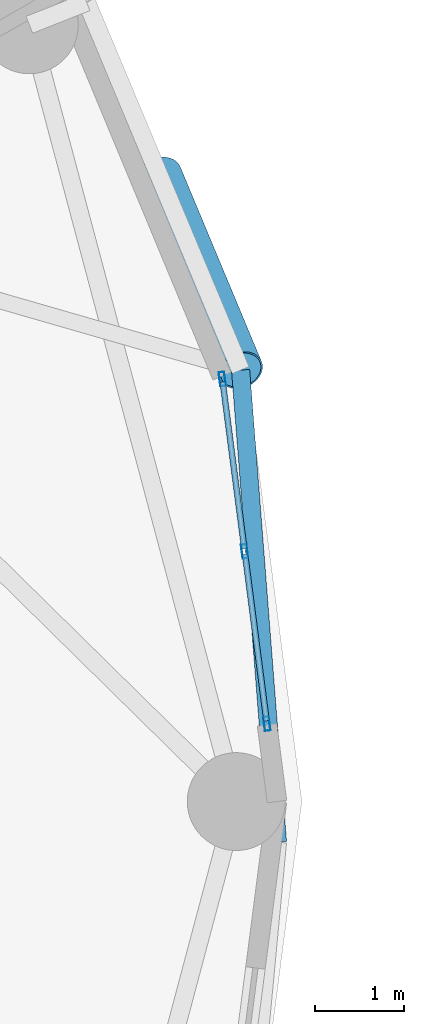
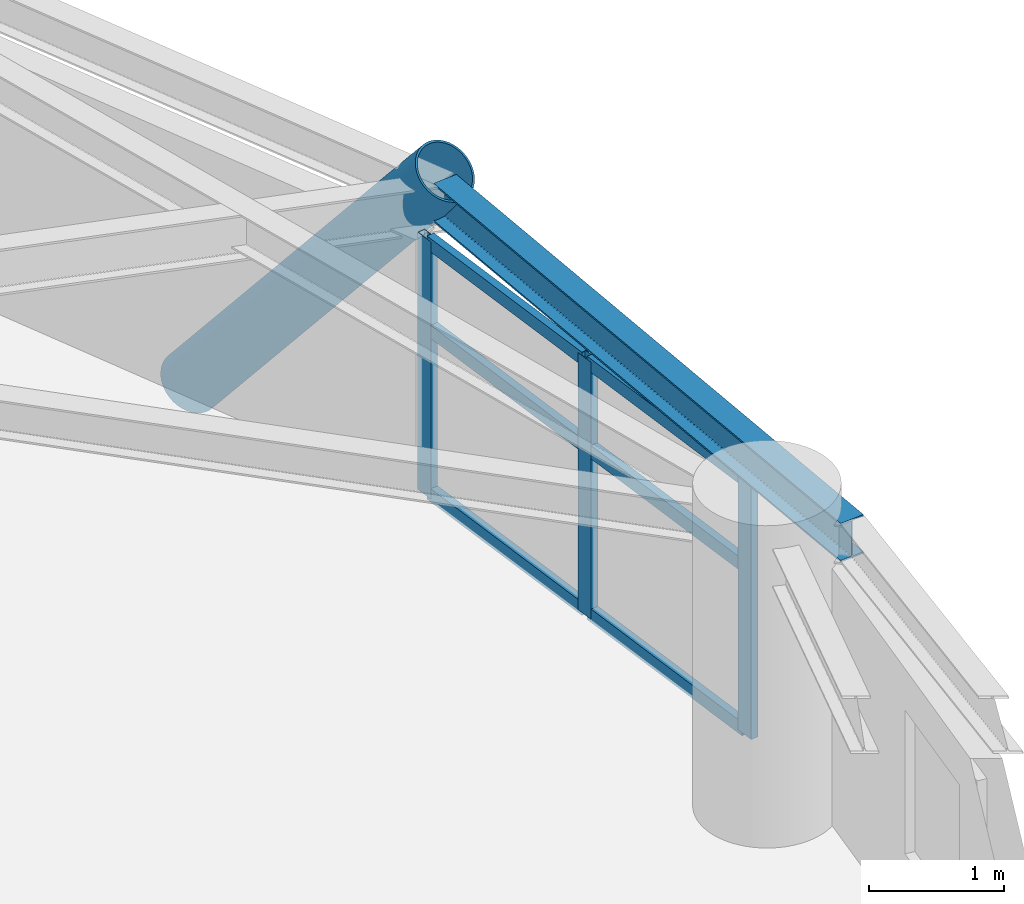
# One storey, part 3 of 16: 10 members, 1 beam, 1 element without a shape of its own.
"""IFC4 building model written with IfcOpenShell, lengths in metres."""

import ifcopenshell
import ifcopenshell.guid

model = None  # the IFC model being written
_history = None  # IfcOwnerHistory: only IFC2X3 demands one
_inside = {}  # id of a spatial element -> (the spatial element, [elements in it])
_under = {}  # id of a project, library or spatial element -> (it, [spatial elements below it])
_declared = {}  # id of a project -> (the project, [libraries it declares])
_typed = {}  # id of a type object -> (the type object, [elements of that type])
_made_of = {}  # id of a material, layer set ... -> (it, [elements and type objects made of it])


def new_model(schema):
    """Start an empty IFC model of exactly this schema.

    Asked for "IFC4X3", IfcOpenShell would pick the latest addendum, in which some entities
    have other attributes; the version numbers below select the first issue.
    IFC2X3 requires an IfcOwnerHistory on every rooted entity: one is made here for all.
    """
    global model, _history
    if schema == "IFC4X3":
        model = ifcopenshell.file(schema_version=(4, 3, 0, 0))
    else:
        model = ifcopenshell.file(schema=schema)
    _inside.clear()
    _under.clear()
    _declared.clear()
    _typed.clear()
    _made_of.clear()
    _history = None
    if model.schema == "IFC2X3":
        org = make("IfcOrganization", Name="unknown")
        user = make(
            "IfcPersonAndOrganization",
            ThePerson=make("IfcPerson", FamilyName="unknown"),
            TheOrganization=org,
        )
        app = make(
            "IfcApplication",
            ApplicationDeveloper=org,
            Version="unknown",
            ApplicationFullName="unknown",
            ApplicationIdentifier="unknown",
        )
        _history = make(
            "IfcOwnerHistory",
            OwningUser=user,
            OwningApplication=app,
            ChangeAction="ADDED",
            CreationDate=0,
        )
    return model


def make(cls, **values):
    """One entity of the class cls with the attributes given. An attribute that is None is left unset."""
    return model.create_entity(
        cls, **{name: value for name, value in values.items() if value is not None}
    )


def rooted(cls, **values):
    """An entity with a GlobalId (a new one), such as an element, a storey or a relation."""
    return make(cls, GlobalId=ifcopenshell.guid.new(), OwnerHistory=_history, **values)


def si_unit(unit_type, name, prefix=None):
    """IfcSIUnit, for example si_unit("LENGTHUNIT", "METRE", prefix="MILLI")."""
    return make("IfcSIUnit", UnitType=unit_type, Prefix=prefix, Name=name)


def assignment(units):
    """IfcUnitAssignment: the units of a project."""
    return None if units is None else make("IfcUnitAssignment", Units=units)


def point(xyz):
    """IfcCartesianPoint."""
    return None if xyz is None else make("IfcCartesianPoint", Coordinates=xyz)


def direction(xyz):
    """IfcDirection."""
    return None if xyz is None else make("IfcDirection", DirectionRatios=xyz)


def frame(location, z_axis=None, x_axis=None):
    """IfcAxis2Placement3D, a coordinate frame: its origin and axes. An axis left out is left unset."""
    return make(
        "IfcAxis2Placement3D",
        Location=point(location),
        Axis=direction(z_axis),
        RefDirection=direction(x_axis),
    )


def frame_2d(location, x_axis=None):
    """IfcAxis2Placement2D, a coordinate frame in the plane: its origin and x axis."""
    return make(
        "IfcAxis2Placement2D", Location=point(location), RefDirection=direction(x_axis)
    )


def origin():
    """The frame at (0, 0, 0) with its axes left unset."""
    return frame((0.0, 0.0, 0.0))


def origin_2d():
    """The frame at (0, 0) in the plane with its x axis left unset."""
    return frame_2d((0.0, 0.0))


def place(relative_to, where):
    """IfcLocalPlacement: puts the frame where relative to a parent placement (None: the world)."""
    return make(
        "IfcLocalPlacement", PlacementRelTo=relative_to, RelativePlacement=where
    )


def context(
    kind, dimensions, precision=None, world=None, true_north=None, identifier=None
):
    """IfcGeometricRepresentationContext, for example the 3D "Model" context."""
    return make(
        "IfcGeometricRepresentationContext",
        ContextIdentifier=identifier,
        ContextType=kind,
        CoordinateSpaceDimension=dimensions,
        Precision=precision,
        WorldCoordinateSystem=world,
        TrueNorth=true_north,
    )


def subcontext(parent, identifier, kind, view, scale=None):
    """IfcGeometricRepresentationSubContext, for example "Body" below "Model"."""
    return make(
        "IfcGeometricRepresentationSubContext",
        ContextIdentifier=identifier,
        ContextType=kind,
        ParentContext=parent,
        TargetScale=scale,
        TargetView=view,
    )


def project(units=None, contexts=None):
    """IfcProject with its units and contexts."""
    return rooted(
        "IfcProject",
        Name="project",
        RepresentationContexts=contexts,
        UnitsInContext=assignment(units),
    )


def spatial(cls, under=None, at=None, **own):
    """A site, building, storey or space (cls), placed at a placement, below another one or the project."""
    s = rooted(cls, ObjectPlacement=at, **own)
    if under is not None:
        _under.setdefault(under.id(), (under, []))[1].append(s)
    return s


def profile(cls, at=None, kind="AREA", **sizes):
    """A parametric profile (cls). Its sizes go by their IFC names, for example OverallWidth=200.0."""
    return make(cls, ProfileType=kind, Position=at, **sizes)


def hollow_rectangle(**sizes):
    """IfcRectangleHollowProfileDef."""
    return profile("IfcRectangleHollowProfileDef", **sizes)


def hollow_circle(**sizes):
    """IfcCircleHollowProfileDef."""
    return profile("IfcCircleHollowProfileDef", **sizes)


def i_section(**sizes):
    """IfcIShapeProfileDef."""
    return profile("IfcIShapeProfileDef", **sizes)


def extrude(swept, where, along, depth):
    """IfcExtrudedAreaSolid: the profile swept, set in the frame where, extruded along a direction by depth."""
    return make(
        "IfcExtrudedAreaSolid",
        SweptArea=swept,
        Position=where,
        ExtrudedDirection=direction(along),
        Depth=depth,
    )


def shape(context_of_items, identifier, shape_type, items):
    """IfcShapeRepresentation: the items that make up one representation, for example the "Body"."""
    return make(
        "IfcShapeRepresentation",
        ContextOfItems=context_of_items,
        RepresentationIdentifier=identifier,
        RepresentationType=shape_type,
        Items=items,
    )


def material(Name=None, Category=None):
    """IfcMaterial."""
    return make("IfcMaterial", Name=Name, Category=Category)


def layer(
    of_material, thickness, ventilated=None, Name=None, Category=None, Priority=None
):
    """IfcMaterialLayer: one layer of a wall or slab, of a material (None: an air gap)."""
    return make(
        "IfcMaterialLayer",
        Material=of_material,
        LayerThickness=thickness,
        IsVentilated=ventilated,
        Name=Name,
        Category=Category,
        Priority=Priority,
    )


def layer_set(layers, Name=None):
    """IfcMaterialLayerSet."""
    return make("IfcMaterialLayerSet", MaterialLayers=layers, LayerSetName=Name)


def material_profile(
    of_material, cross_section, Name=None, Category=None, Priority=None
):
    """IfcMaterialProfile: a cross section and its material."""
    return make(
        "IfcMaterialProfile",
        Name=Name,
        Material=of_material,
        Profile=cross_section,
        Priority=Priority,
        Category=Category,
    )


def profile_set(profiles, Name=None, composite=None):
    """IfcMaterialProfileSet."""
    return make(
        "IfcMaterialProfileSet",
        Name=Name,
        MaterialProfiles=profiles,
        CompositeProfile=composite,
    )


def made_of(thing, what):
    """Note that an element or type object is made of a material, layer set ...; save() writes the relation."""
    if what is not None:
        _made_of.setdefault(what.id(), (what, []))[1].append(thing)
    return thing


def type_object(cls, material=None, **own):
    """A type object (cls), such as IfcWallType, which elements share."""
    return made_of(rooted(cls, **own), material)


def element(
    cls,
    number,
    at=None,
    inside=None,
    cuts=None,
    type_object=None,
    material=None,
    context=None,
    identifier="Body",
    shape_type=None,
    held_by="IfcProductDefinitionShape",
    body=None,
    shapes=None,
    **own,
):
    """One element of the class cls, such as IfcWall. Its Tag is "e" and its number.

    at: its placement. inside: the storey or other place that contains it. cuts: it is an
    opening in that element (IfcRelVoidsElement). A single representation is given by context,
    identifier, shape_type and body (its items); several are given by shapes. held_by: the class
    of the entity that holds the representations. save() writes the other relations.
    """
    e = rooted(cls, Tag="e%d" % number, ObjectPlacement=at, **own)
    if body is not None:
        shapes = [shape(context, identifier, shape_type, body)]
    if shapes is not None:
        e.Representation = make(held_by, Representations=shapes)
    if inside is not None:
        _inside.setdefault(inside.id(), (inside, []))[1].append(e)
    if cuts is not None:
        rooted(
            "IfcRelVoidsElement", RelatingBuildingElement=cuts, RelatedOpeningElement=e
        )
    if type_object is not None:
        _typed.setdefault(type_object.id(), (type_object, []))[1].append(e)
    return made_of(e, material)


def aggregate(whole, parts):
    """IfcRelAggregates: a whole, such as a stair, and the parts it consists of."""
    return rooted("IfcRelAggregates", RelatingObject=whole, RelatedObjects=parts)


def save(model, path):
    """Write the relations noted so far, then the file.

    IfcRelAggregates (storeys below a building ...), IfcRelContainedInSpatialStructure (elements
    in a storey), IfcRelDefinesByType, IfcRelAssociatesMaterial and IfcRelDeclares: one each for
    every whole, place, type object, material and project.
    """
    for whole, parts in _under.values():
        aggregate(whole, parts)
    for where, things in _inside.values():
        rooted(
            "IfcRelContainedInSpatialStructure",
            RelatedElements=things,
            RelatingStructure=where,
        )
    for kind, things in _typed.values():
        rooted("IfcRelDefinesByType", RelatedObjects=things, RelatingType=kind)
    for what, things in _made_of.values():
        rooted("IfcRelAssociatesMaterial", RelatedObjects=things, RelatingMaterial=what)
    for by, libraries in _declared.values():
        rooted("IfcRelDeclares", RelatingContext=by, RelatedDefinitions=libraries)
    model.write(path)


model = new_model("IFC4")

# Units and contexts
model_context = context("Model", 3, precision=1e-05, world=origin(), true_north=direction((0.0, 1.0)))
body_context = subcontext(model_context, "Body", "Model", "MODEL_VIEW")
ifc_project = project(units=[si_unit("LENGTHUNIT", "METRE"), si_unit("AREAUNIT", "SQUARE_METRE"), si_unit("VOLUMEUNIT", "CUBIC_METRE"), si_unit("PLANEANGLEUNIT", "RADIAN"), si_unit("MASSUNIT", "GRAM", prefix="KILO")], contexts=[model_context])

# Site, building, storey
site_placement = place(None, origin())
site = spatial("IfcSite", under=ifc_project, at=site_placement, CompositionType="ELEMENT")
building_placement = place(site_placement, origin())
building = spatial("IfcBuilding", under=site, at=building_placement, Name="Cununo Teusaquillo Station Towers", CompositionType="ELEMENT")
storey_placement = place(building_placement, frame((0.0, 0.0, 211.2099609375)))
storey = spatial("IfcBuildingStorey", under=building, at=storey_placement, Name="L67", CompositionType="ELEMENT", Elevation=211.2099609375)

# Beam
ifc_material_1 = material(Name="Steel ASTM A572 Grade 50", Category="steel")
ifc_material_profile_1 = material_profile(ifc_material_1, i_section(OverallWidth=0.2041015625, OverallDepth=0.35009765625, WebThickness=0.008544921875, FlangeThickness=0.01513671875, FilletRadius=0.011962890625, at=origin_2d()), Name="W14X48")
ifc_profile_set_1 = profile_set([ifc_material_profile_1], Name="Steel ASTM A572 Grade 50")
beam_type = type_object("IfcBeamType", Name="BM-RING-Z4", PredefinedType="SPANDREL", material=ifc_profile_set_1)
beam_placement = place(storey_placement, frame((29.135498046875, 24.044189453125, 2.525146484375), z_axis=(-0.077871988965, 0.996963366095, 0.0), x_axis=(-0.996963366095, -0.077871988965, 0.0)))
element("IfcBeam", 1, at=beam_placement, inside=storey, type_object=beam_type, Name="L67 Tower A Spandrel Ring Beam 01", PredefinedType="SPANDREL", context=body_context, shape_type="SweptSolid", body=[
    extrude(i_section(OverallWidth=0.2041015625, OverallDepth=0.35009765625, WebThickness=0.008544921875, FlangeThickness=0.01513671875, FilletRadius=0.011962890625, at=origin_2d()), origin(), (0.0, 0.0, 1.0), 5.3203125),
])

# Curtain wall, members
ifc_material_2 = material(Name="Ceramic-fritted dark low-E double glazing", Category="glass")
ifc_layer = layer(ifc_material_2, 0.179931640625)
ifc_layer_set = layer_set([ifc_layer], Name="Ceramic-fritted dark low-E double glazing")
curtain_wall_type = type_object("IfcCurtainWallType", Name="CW-SYS-07", PredefinedType="USERDEFINED", material=ifc_layer_set)
curtain_wall_placement = place(storey_placement, origin())
curtain_wall = element("IfcCurtainWall", 2, at=curtain_wall_placement, inside=storey, type_object=curtain_wall_type, Name="L67 Tower A Facade Curtain Wall C00", ObjectType="FRITTED GLAZING", PredefinedType="USERDEFINED")
ifc_material_3 = material(Name="Anodised dark bronze aluminium EN AW-6063-T6", Category="aluminium")
ifc_material_profile_2 = material_profile(ifc_material_3, hollow_rectangle(XDim=0.06494140625, YDim=0.159912109375, WallThickness=0.00390625, at=origin_2d()), Name="CW-MULL-65x160")
ifc_profile_set_2 = profile_set([ifc_material_profile_2], Name="Anodised dark bronze aluminium EN AW-6063-T6")
member_type_1 = type_object("IfcMemberType", Name="CWM-160", PredefinedType="MULLION", material=ifc_profile_set_2)
member_1_placement = place(storey_placement, frame((28.515869140625, 29.248291015625, 0.0), z_axis=(0.0, 0.0, 1.0), x_axis=(0.991741528461, 0.12825264413, 0.0)))
member_1 = element("IfcMember", 3, at=member_1_placement, type_object=member_type_1, Name="CW-07 mullion 1", PredefinedType="MULLION", context=body_context, shape_type="SweptSolid", body=[
    extrude(hollow_rectangle(XDim=0.06494140625, YDim=0.159912109375, WallThickness=0.00390625, at=origin_2d()), origin(), (0.0, 0.0, 1.0), 2.322021484375),
])
member_2_placement = place(storey_placement, frame((28.766357421875, 27.311767578125, 0.0), z_axis=(0.0, 0.0, 1.0), x_axis=(0.991741528461, 0.12825264413, 0.0)))
member_2 = element("IfcMember", 4, at=member_2_placement, type_object=member_type_1, Name="CW-07 mullion 2", PredefinedType="MULLION", context=body_context, shape_type="SweptSolid", body=[
    extrude(hollow_rectangle(XDim=0.06494140625, YDim=0.159912109375, WallThickness=0.00390625, at=origin_2d()), origin(), (0.0, 0.0, 1.0), 2.322021484375),
])
member_3_placement = place(storey_placement, frame((29.016845703125, 25.375244140625, 0.0), z_axis=(0.0, 0.0, 1.0), x_axis=(0.991741528461, 0.12825264413, 0.0)))
member_3 = element("IfcMember", 5, at=member_3_placement, type_object=member_type_1, Name="CW-07 mullion 3", PredefinedType="MULLION", context=body_context, shape_type="SweptSolid", body=[
    extrude(hollow_rectangle(XDim=0.06494140625, YDim=0.159912109375, WallThickness=0.00390625, at=origin_2d()), origin(), (0.0, 0.0, 1.0), 2.322021484375),
])
ifc_material_4 = material(Name="Anodised dark bronze aluminium EN AW-6063-T6", Category="aluminium")
ifc_material_profile_3 = material_profile(ifc_material_4, hollow_rectangle(XDim=0.06494140625, YDim=0.1201171875, WallThickness=0.00390625, at=origin_2d()), Name="CW-TRAN-65x120")
ifc_profile_set_3 = profile_set([ifc_material_profile_3], Name="Anodised dark bronze aluminium EN AW-6063-T6")
member_type_2 = type_object("IfcMemberType", Name="CWT-120", PredefinedType="USERDEFINED", material=ifc_profile_set_3)
member_4_placement = place(storey_placement, frame((28.52001953125, 29.216064453125, 0.032470703125), z_axis=(0.128299630595, -0.99173545101, 0.0), x_axis=(0.99173545101, 0.128299630595, 0.0)))
member_4 = element("IfcMember", 6, at=member_4_placement, type_object=member_type_2, Name="CW-07 transom 1.1", ObjectType="TRANSOM", PredefinedType="USERDEFINED", context=body_context, shape_type="SweptSolid", body=[
    extrude(hollow_rectangle(XDim=0.06494140625, YDim=0.1201171875, WallThickness=0.00390625, at=origin_2d()), origin(), (0.0, 0.0, 1.0), 1.8876953125),
])
member_5_placement = place(storey_placement, frame((28.52001953125, 29.216064453125, 1.509033203125), z_axis=(0.128299630595, -0.99173545101, 0.0), x_axis=(0.99173545101, 0.128299630595, 0.0)))
member_5 = element("IfcMember", 7, at=member_5_placement, type_object=member_type_2, Name="CW-07 transom 1.2", ObjectType="TRANSOM", PredefinedType="USERDEFINED", context=body_context, shape_type="SweptSolid", body=[
    extrude(hollow_rectangle(XDim=0.06494140625, YDim=0.1201171875, WallThickness=0.00390625, at=origin_2d()), origin(), (0.0, 0.0, 1.0), 1.8876953125),
])
member_6_placement = place(storey_placement, frame((28.52001953125, 29.216064453125, 2.28955078125), z_axis=(0.128299630595, -0.99173545101, 0.0), x_axis=(0.99173545101, 0.128299630595, 0.0)))
member_6 = element("IfcMember", 8, at=member_6_placement, type_object=member_type_2, Name="CW-07 transom 1.3", ObjectType="TRANSOM", PredefinedType="USERDEFINED", context=body_context, shape_type="SweptSolid", body=[
    extrude(hollow_rectangle(XDim=0.06494140625, YDim=0.1201171875, WallThickness=0.00390625, at=origin_2d()), origin(), (0.0, 0.0, 1.0), 1.8876953125),
])
member_7_placement = place(storey_placement, frame((28.7705078125, 27.279541015625, 0.032470703125), z_axis=(0.128299630595, -0.99173545101, 0.0), x_axis=(0.99173545101, 0.128299630595, 0.0)))
member_7 = element("IfcMember", 9, at=member_7_placement, type_object=member_type_2, Name="CW-07 transom 2.1", ObjectType="TRANSOM", PredefinedType="USERDEFINED", context=body_context, shape_type="SweptSolid", body=[
    extrude(hollow_rectangle(XDim=0.06494140625, YDim=0.1201171875, WallThickness=0.00390625, at=origin_2d()), origin(), (0.0, 0.0, 1.0), 1.8876953125),
])
member_8_placement = place(storey_placement, frame((28.7705078125, 27.279541015625, 1.509033203125), z_axis=(0.128299630595, -0.99173545101, 0.0), x_axis=(0.99173545101, 0.128299630595, 0.0)))
member_8 = element("IfcMember", 10, at=member_8_placement, type_object=member_type_2, Name="CW-07 transom 2.2", ObjectType="TRANSOM", PredefinedType="USERDEFINED", context=body_context, shape_type="SweptSolid", body=[
    extrude(hollow_rectangle(XDim=0.06494140625, YDim=0.1201171875, WallThickness=0.00390625, at=origin_2d()), origin(), (0.0, 0.0, 1.0), 1.8876953125),
])
member_9_placement = place(storey_placement, frame((28.7705078125, 27.279541015625, 2.28955078125), z_axis=(0.128299630595, -0.99173545101, 0.0), x_axis=(0.99173545101, 0.128299630595, 0.0)))
member_9 = element("IfcMember", 11, at=member_9_placement, type_object=member_type_2, Name="CW-07 transom 2.3", ObjectType="TRANSOM", PredefinedType="USERDEFINED", context=body_context, shape_type="SweptSolid", body=[
    extrude(hollow_rectangle(XDim=0.06494140625, YDim=0.1201171875, WallThickness=0.00390625, at=origin_2d()), origin(), (0.0, 0.0, 1.0), 1.8876953125),
])
aggregate(curtain_wall, [member_1, member_2, member_3, member_4, member_5, member_6, member_7, member_8, member_9])

# Member
ifc_material_5 = material(Name="Steel EN 10025-2 S355J2", Category="steel")
ifc_material_profile_4 = material_profile(ifc_material_5, hollow_circle(Radius=0.25390625, WallThickness=0.01806640625, at=origin_2d()), Name="CHS 508x18")
ifc_profile_set_4 = profile_set([ifc_material_profile_4], Name="Steel EN 10025-2 S355J2")
member_type_3 = type_object("IfcMemberType", Name="MBR-DIAG-Z4", PredefinedType="BRACE", material=ifc_profile_set_4)
member_10_placement = place(storey_placement, frame((27.80859375, 31.535400390625, -0.139892578125), z_axis=(0.243178360097, -0.58276932845, 0.77539937774), x_axis=(0.922875628603, 0.385098135713, 0.0)))
element("IfcMember", 12, at=member_10_placement, inside=storey, type_object=member_type_3, Name="L67 Tower A Folded-Zigzag Diagrid Tube C01", PredefinedType="BRACE", context=body_context, shape_type="SweptSolid", body=[
    extrude(hollow_circle(Radius=0.25390625, WallThickness=0.01806640625, at=origin_2d()), origin(), (0.0, 0.0, 1.0), 3.752685546875),
])

save(model, "model.ifc")
